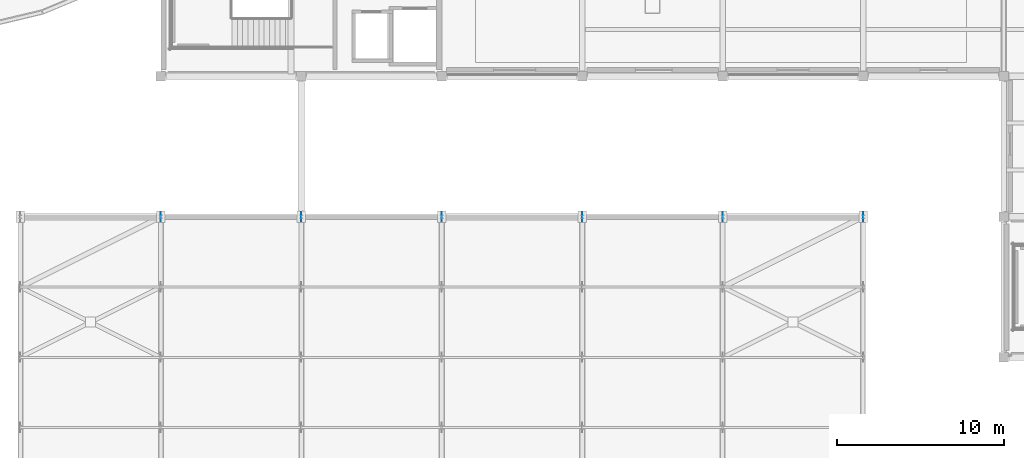
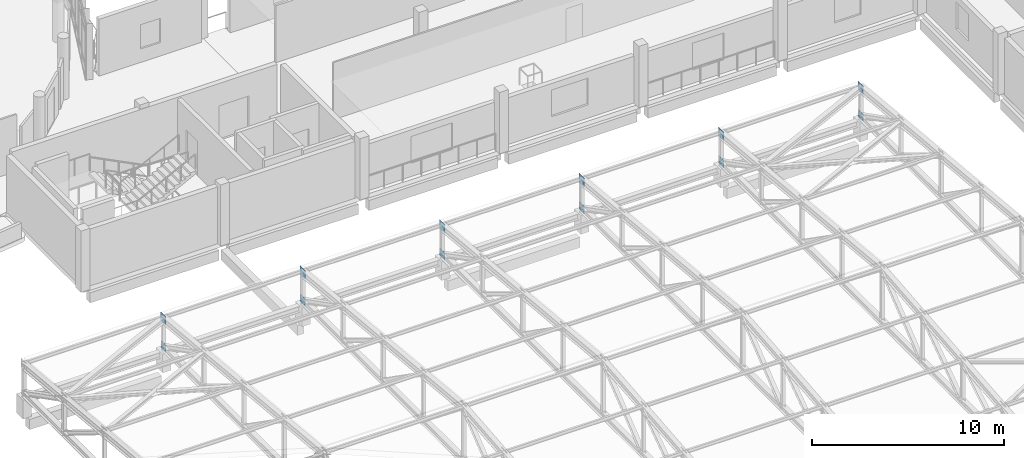
# One storey, part 57 of 74: 12 plates.
"""IFC4 building model written with IfcOpenShell, lengths in metres."""

from ifc_helpers import new_model, si_unit, derived_unit, direction, frame, origin, origin_2d, place, context, subcontext, project, spatial, rectangle, extrude, material, layer, layer_set, type_object, element, save


model = new_model("IFC4")

# Units and contexts
model_context = context("Model", 3, precision=1e-05, world=origin(), true_north=direction((0.0, 1.0)))
body_context = subcontext(model_context, "Body", "Model", "MODEL_VIEW")
ifc_project = project(units=[si_unit("LENGTHUNIT", "METRE"), si_unit("AREAUNIT", "SQUARE_METRE"), si_unit("VOLUMEUNIT", "CUBIC_METRE"), si_unit("PLANEANGLEUNIT", "RADIAN"), si_unit("MASSUNIT", "GRAM", prefix="KILO"), derived_unit("THERMALTRANSMITTANCEUNIT", [(si_unit("POWERUNIT", "WATT"), 1), (si_unit("LENGTHUNIT", "METRE"), -2), (si_unit("THERMODYNAMICTEMPERATUREUNIT", "KELVIN"), -1)])], contexts=[model_context])

# Site, building, storey
site_placement = place(None, origin())
site = spatial("IfcSite", under=ifc_project, at=site_placement, CompositionType="ELEMENT")
building_placement = place(site_placement, origin())
building = spatial("IfcBuilding", under=site, at=building_placement, Name="Elbkamm Science Centre", CompositionType="ELEMENT")
storey_placement = place(building_placement, frame((0.0, 0.0, 14.39990234375)))
storey = spatial("IfcBuildingStorey", under=building, at=storey_placement, Name="L03", CompositionType="ELEMENT", Elevation=14.39990234375)

# Plates
ifc_material = material(Name="Steel EN 10025-2 S355J2", Category="steel")
ifc_layer_1 = layer(ifc_material, 0.01611328125)
ifc_layer_set_1 = layer_set([ifc_layer_1], Name="Steel EN 10025-2 S355J2")
plate_type_1 = type_object("IfcPlateType", Name="PLT-SHEET-16", PredefinedType="SHEET", material=ifc_layer_set_1)
for number, where, z_axis, x_axis, name in (
    (1, (92.39990234375, 33.60009765625, 2.8818359375), (0.0, 0.0, 1.0), (1.0, 0.0, 0.0), "Theatre Truss 04 Top Node Gusset Plate 9"),
    (2, (117.60009765625, 33.60009765625, 2.8818359375), (0.0, 0.0, 1.0), (1.0, 0.0, 0.0), "Theatre Truss 07 Top Node Gusset Plate 9"),
):
    element("IfcPlate", number, at=place(storey_placement, frame(where, z_axis=z_axis, x_axis=x_axis)), inside=storey, type_object=plate_type_1, Name=name, PredefinedType="SHEET", context=body_context, shape_type="SweptSolid", body=[
        extrude(rectangle(XDim=0.01611328125, YDim=0.550048828125, at=origin_2d()), origin(), (0.0, 0.0, 1.0), 0.550048828125),
    ])
ifc_layer_2 = layer(ifc_material, 0.02001953125)
ifc_layer_set_2 = layer_set([ifc_layer_2], Name="Steel EN 10025-2 S355J2")
plate_type_2 = type_object("IfcPlateType", Name="PLT-SHEET-20", PredefinedType="SHEET", material=ifc_layer_set_2)
for number, where, z_axis, x_axis, name in (
    (3, (75.60009765625, 33.60009765625, 2.8818359375), (0.0, 0.0, 1.0), (1.0, 0.0, 0.0), "Theatre Truss 02 Top Node Gusset Plate 9"),
    (4, (100.800048828125, 33.60009765625, 2.8818359375), (0.0, 0.0, 1.0), (1.0, 0.0, 0.0), "Theatre Truss 05 Top Node Gusset Plate 9"),
):
    element("IfcPlate", number, at=place(storey_placement, frame(where, z_axis=z_axis, x_axis=x_axis)), inside=storey, type_object=plate_type_2, Name=name, PredefinedType="SHEET", context=body_context, shape_type="SweptSolid", body=[
        extrude(rectangle(XDim=0.02001953125, YDim=0.550048828125, at=origin_2d()), origin(), (0.0, 0.0, 1.0), 0.550048828125),
    ])
ifc_layer_3 = layer(ifc_material, 0.02392578125)
ifc_layer_set_3 = layer_set([ifc_layer_3], Name="Steel EN 10025-2 S355J2")
plate_type_3 = type_object("IfcPlateType", Name="PLT-SHEET-24", PredefinedType="SHEET", material=ifc_layer_set_3)
plate_1_placement = place(storey_placement, frame((75.60009765625, 33.60009765625, 1.150146484375), z_axis=(0.0, 0.0, 1.0), x_axis=(1.0, 0.0, 0.0)))
element("IfcPlate", 5, at=plate_1_placement, inside=storey, type_object=plate_type_3, Name="Theatre Truss 02 Bottom Node Gusset Plate 9", PredefinedType="SHEET", context=body_context, shape_type="SweptSolid", body=[
    extrude(rectangle(XDim=0.02392578125, YDim=0.5, at=origin_2d()), origin(), (0.0, 0.0, 1.0), 0.5),
])
plate_2_placement = place(storey_placement, frame((84.0, 33.60009765625, 2.8818359375), z_axis=(0.0, 0.0, 1.0), x_axis=(1.0, 0.0, 0.0)))
element("IfcPlate", 6, at=plate_2_placement, inside=storey, type_object=plate_type_3, Name="Theatre Truss 03 Top Node Gusset Plate 9", PredefinedType="SHEET", context=body_context, shape_type="SweptSolid", body=[
    extrude(rectangle(XDim=0.02392578125, YDim=0.550048828125, at=origin_2d()), origin(), (0.0, 0.0, 1.0), 0.550048828125),
])
for number, where, z_axis, x_axis, name in (
    (7, (84.0, 33.60009765625, 1.150146484375), (0.0, 0.0, 1.0), (1.0, 0.0, 0.0), "Theatre Truss 03 Bottom Node Gusset Plate 9"),
    (8, (92.39990234375, 33.60009765625, 1.150146484375), (0.0, 0.0, 1.0), (1.0, 0.0, 0.0), "Theatre Truss 04 Bottom Node Gusset Plate 9"),
    (9, (100.800048828125, 33.60009765625, 1.150146484375), (0.0, 0.0, 1.0), (1.0, 0.0, 0.0), "Theatre Truss 05 Bottom Node Gusset Plate 9"),
):
    element("IfcPlate", number, at=place(storey_placement, frame(where, z_axis=z_axis, x_axis=x_axis)), inside=storey, type_object=plate_type_3, Name=name, PredefinedType="SHEET", context=body_context, shape_type="SweptSolid", body=[
        extrude(rectangle(XDim=0.02392578125, YDim=0.5, at=origin_2d()), origin(), (0.0, 0.0, 1.0), 0.5),
    ])
plate_3_placement = place(storey_placement, frame((109.199951171875, 33.60009765625, 2.8818359375), z_axis=(0.0, 0.0, 1.0), x_axis=(1.0, 0.0, 0.0)))
element("IfcPlate", 10, at=plate_3_placement, inside=storey, type_object=plate_type_3, Name="Theatre Truss 06 Top Node Gusset Plate 9", PredefinedType="SHEET", context=body_context, shape_type="SweptSolid", body=[
    extrude(rectangle(XDim=0.02392578125, YDim=0.550048828125, at=origin_2d()), origin(), (0.0, 0.0, 1.0), 0.550048828125),
])
for number, where, z_axis, x_axis, name in (
    (11, (109.199951171875, 33.60009765625, 1.150146484375), (0.0, 0.0, 1.0), (1.0, 0.0, 0.0), "Theatre Truss 06 Bottom Node Gusset Plate 9"),
    (12, (117.60009765625, 33.60009765625, 1.150146484375), (0.0, 0.0, 1.0), (1.0, 0.0, 0.0), "Theatre Truss 07 Bottom Node Gusset Plate 9"),
):
    element("IfcPlate", number, at=place(storey_placement, frame(where, z_axis=z_axis, x_axis=x_axis)), inside=storey, type_object=plate_type_3, Name=name, PredefinedType="SHEET", context=body_context, shape_type="SweptSolid", body=[
        extrude(rectangle(XDim=0.02392578125, YDim=0.5, at=origin_2d()), origin(), (0.0, 0.0, 1.0), 0.5),
    ])

save(model, "model.ifc")
